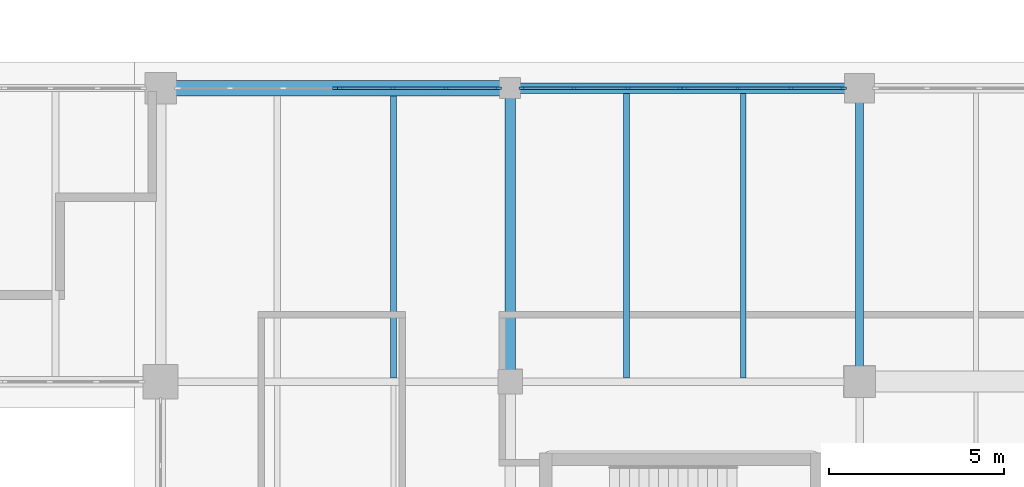
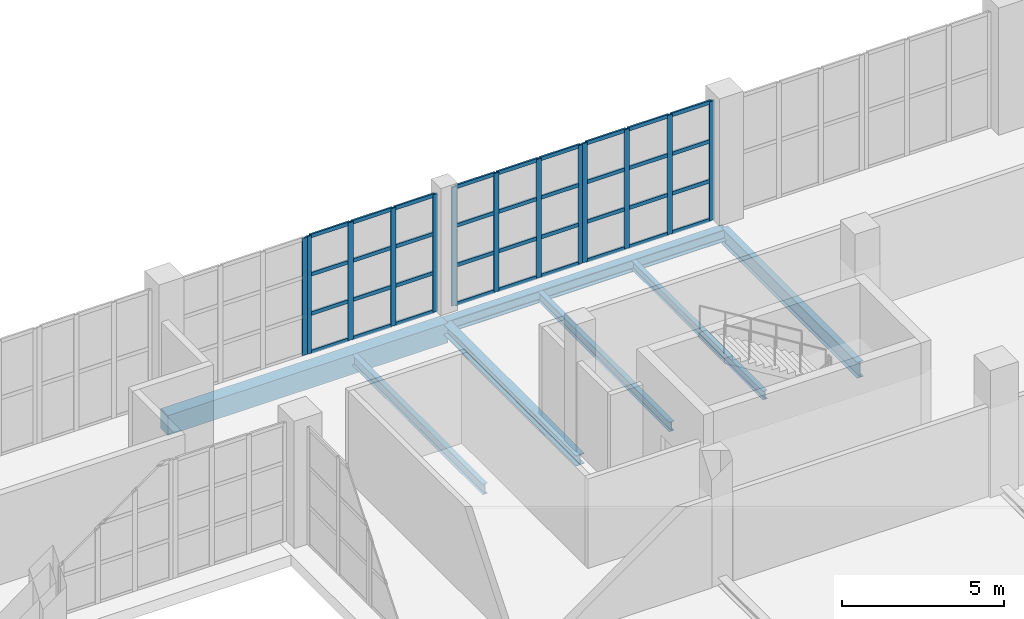
# One storey, part 65 of 121: 49 members, 7 beams, 4 elements without a shape of their own.
"""IFC4 building model written with IfcOpenShell, lengths in metres."""

from ifc_helpers import new_model, si_unit, direction, frame, origin, origin_2d, place, context, subcontext, project, spatial, rectangle, i_section, extrude, material, layer, layer_set, material_profile, profile_set, type_object, element, aggregate, save


model = new_model("IFC4")

# Units and contexts
model_context = context("Model", 3, precision=1e-05, world=origin(), true_north=direction((0.0, 1.0)))
body_context = subcontext(model_context, "Body", "Model", "MODEL_VIEW")
ifc_project = project(units=[si_unit("LENGTHUNIT", "METRE"), si_unit("AREAUNIT", "SQUARE_METRE"), si_unit("VOLUMEUNIT", "CUBIC_METRE"), si_unit("PLANEANGLEUNIT", "RADIAN"), si_unit("MASSUNIT", "GRAM", prefix="KILO")], contexts=[model_context])

# Site, building, storey
site_placement = place(None, origin())
site = spatial("IfcSite", under=ifc_project, at=site_placement, CompositionType="ELEMENT")
building_placement = place(site_placement, origin())
building = spatial("IfcBuilding", under=site, at=building_placement, Name="Zereglee Splitstone Museum", CompositionType="ELEMENT")
storey_placement = place(building_placement, origin())
storey = spatial("IfcBuildingStorey", under=building, at=storey_placement, Name="L00", CompositionType="ELEMENT", Elevation=0.0)

# Curtain wall, members
ifc_material_1 = material(Name="Triple-glazed low-E argon glass and bronze-anodised aluminium", Category="aluminium")
ifc_layer_1 = layer(ifc_material_1, 0.179931640625)
ifc_layer_set_1 = layer_set([ifc_layer_1], Name="Triple-glazed low-E argon glass and bronze-anodised aluminium")
curtain_wall_type_1 = type_object("IfcCurtainWallType", Name="CW-0459-450", PredefinedType="USERDEFINED", material=ifc_layer_set_1)
curtain_wall_1_placement = place(storey_placement, origin())
curtain_wall_1 = element("IfcCurtainWall", 1, at=curtain_wall_1_placement, inside=storey, type_object=curtain_wall_type_1, Name="Glazed Curtain Wall CW-0459-450 (L00)", ObjectType="GLAZED CURTAIN WALL", PredefinedType="USERDEFINED")
ifc_material_2 = material(Name="Thermally broken bronze-anodised aluminium", Category="aluminium")
ifc_material_profile_1 = material_profile(ifc_material_2, rectangle(XDim=0.06494140625, YDim=0.179931640625, at=origin_2d()), Name="CW MULL 65x180")
ifc_profile_set_1 = profile_set([ifc_material_profile_1], Name="Thermally broken bronze-anodised aluminium")
member_type_1 = type_object("IfcMemberType", Name="CWM-01", PredefinedType="MULLION", material=ifc_profile_set_1)
member_1_placement = place(storey_placement, frame((275.534423828125, 38.39990234375, 0.0), z_axis=(0.0, 0.0, 1.0), x_axis=(0.0, -1.0, 0.0)))
member_1 = element("IfcMember", 2, at=member_1_placement, type_object=member_type_1, Name="CW-0459-450 mullion 1", PredefinedType="MULLION", context=body_context, shape_type="SweptSolid", body=[
    extrude(rectangle(XDim=0.06494140625, YDim=0.179931640625, at=origin_2d()), origin(), (0.0, 0.0, 1.0), 4.5),
])
member_2_placement = place(storey_placement, frame((274.037109375, 38.39990234375, 0.0), z_axis=(0.0, 0.0, 1.0), x_axis=(0.0, -1.0, 0.0)))
member_2 = element("IfcMember", 3, at=member_2_placement, type_object=member_type_1, Name="CW-0459-450 mullion 2", PredefinedType="MULLION", context=body_context, shape_type="SweptSolid", body=[
    extrude(rectangle(XDim=0.06494140625, YDim=0.179931640625, at=origin_2d()), origin(), (0.0, 0.0, 1.0), 4.5),
])
member_3_placement = place(storey_placement, frame((272.50732421875, 38.39990234375, 0.0), z_axis=(0.0, 0.0, 1.0), x_axis=(0.0, -1.0, 0.0)))
member_3 = element("IfcMember", 4, at=member_3_placement, type_object=member_type_1, Name="CW-0459-450 mullion 3", PredefinedType="MULLION", context=body_context, shape_type="SweptSolid", body=[
    extrude(rectangle(XDim=0.06494140625, YDim=0.179931640625, at=origin_2d()), origin(), (0.0, 0.0, 1.0), 4.5),
])
member_4_placement = place(storey_placement, frame((271.010009765625, 38.39990234375, 0.0), z_axis=(0.0, 0.0, 1.0), x_axis=(0.0, -1.0, 0.0)))
member_4 = element("IfcMember", 5, at=member_4_placement, type_object=member_type_1, Name="CW-0459-450 mullion 4", PredefinedType="MULLION", context=body_context, shape_type="SweptSolid", body=[
    extrude(rectangle(XDim=0.06494140625, YDim=0.179931640625, at=origin_2d()), origin(), (0.0, 0.0, 1.0), 4.5),
])

ifc_layer_2 = layer(ifc_material_1, 0.179931640625)
ifc_layer_set_2 = layer_set([ifc_layer_2], Name="Triple-glazed low-E argon glass and bronze-anodised aluminium")
curtain_wall_type_2 = type_object("IfcCurtainWallType", Name="CW-0459-448", PredefinedType="USERDEFINED", material=ifc_layer_set_2)
curtain_wall_2_placement = place(storey_placement, origin())
curtain_wall_2 = element("IfcCurtainWall", 6, at=curtain_wall_2_placement, inside=storey, type_object=curtain_wall_type_2, Name="Glazed Curtain Wall CW-0459-448 (L00)", ObjectType="GLAZED CURTAIN WALL", PredefinedType="USERDEFINED")
member_5_placement = place(storey_placement, frame((270.864990234375, 38.39990234375, 0.0), z_axis=(0.0, 0.0, 1.0), x_axis=(0.0, -1.0, 0.0)))
member_5 = element("IfcMember", 7, at=member_5_placement, type_object=member_type_1, Name="CW-0459-448 mullion 1", PredefinedType="MULLION", context=body_context, shape_type="SweptSolid", body=[
    extrude(rectangle(XDim=0.06494140625, YDim=0.179931640625, at=origin_2d()), origin(), (0.0, 0.0, 1.0), 4.47998046875),
])
member_6_placement = place(storey_placement, frame((269.36767578125, 38.39990234375, 0.0), z_axis=(0.0, 0.0, 1.0), x_axis=(0.0, -1.0, 0.0)))
member_6 = element("IfcMember", 8, at=member_6_placement, type_object=member_type_1, Name="CW-0459-448 mullion 2", PredefinedType="MULLION", context=body_context, shape_type="SweptSolid", body=[
    extrude(rectangle(XDim=0.06494140625, YDim=0.179931640625, at=origin_2d()), origin(), (0.0, 0.0, 1.0), 4.47998046875),
])
member_7_placement = place(storey_placement, frame((267.837890625, 38.39990234375, 0.0), z_axis=(0.0, 0.0, 1.0), x_axis=(0.0, -1.0, 0.0)))
member_7 = element("IfcMember", 9, at=member_7_placement, type_object=member_type_1, Name="CW-0459-448 mullion 3", PredefinedType="MULLION", context=body_context, shape_type="SweptSolid", body=[
    extrude(rectangle(XDim=0.06494140625, YDim=0.179931640625, at=origin_2d()), origin(), (0.0, 0.0, 1.0), 4.47998046875),
])
member_8_placement = place(storey_placement, frame((266.340576171875, 38.39990234375, 0.0), z_axis=(0.0, 0.0, 1.0), x_axis=(0.0, -1.0, 0.0)))
member_8 = element("IfcMember", 10, at=member_8_placement, type_object=member_type_1, Name="CW-0459-448 mullion 4", PredefinedType="MULLION", context=body_context, shape_type="SweptSolid", body=[
    extrude(rectangle(XDim=0.06494140625, YDim=0.179931640625, at=origin_2d()), origin(), (0.0, 0.0, 1.0), 4.47998046875),
])

ifc_layer_3 = layer(ifc_material_1, 0.179931640625)
ifc_layer_set_3 = layer_set([ifc_layer_3], Name="Triple-glazed low-E argon glass and bronze-anodised aluminium")
curtain_wall_type_3 = type_object("IfcCurtainWallType", Name="CW-0458-444", PredefinedType="USERDEFINED", material=ifc_layer_set_3)
curtain_wall_3_placement = place(storey_placement, origin())
curtain_wall_3 = element("IfcCurtainWall", 11, at=curtain_wall_3_placement, inside=storey, type_object=curtain_wall_type_3, Name="Glazed Curtain Wall CW-0458-444 (L00)", ObjectType="GLAZED CURTAIN WALL", PredefinedType="USERDEFINED")
member_9_placement = place(storey_placement, frame((265.659423828125, 38.39990234375, 0.0), z_axis=(0.0, 0.0, 1.0), x_axis=(0.0, -1.0, 0.0)))
member_9 = element("IfcMember", 12, at=member_9_placement, type_object=member_type_1, Name="CW-0458-444 mullion 1", PredefinedType="MULLION", context=body_context, shape_type="SweptSolid", body=[
    extrude(rectangle(XDim=0.06494140625, YDim=0.179931640625, at=origin_2d()), origin(), (0.0, 0.0, 1.0), 4.43994140625),
])
member_10_placement = place(storey_placement, frame((264.166259765625, 38.39990234375, 0.0), z_axis=(0.0, 0.0, 1.0), x_axis=(0.0, -1.0, 0.0)))
member_10 = element("IfcMember", 13, at=member_10_placement, type_object=member_type_1, Name="CW-0458-444 mullion 2", PredefinedType="MULLION", context=body_context, shape_type="SweptSolid", body=[
    extrude(rectangle(XDim=0.06494140625, YDim=0.179931640625, at=origin_2d()), origin(), (0.0, 0.0, 1.0), 4.43994140625),
])
member_11_placement = place(storey_placement, frame((262.640625, 38.39990234375, 0.0), z_axis=(0.0, 0.0, 1.0), x_axis=(0.0, -1.0, 0.0)))
member_11 = element("IfcMember", 14, at=member_11_placement, type_object=member_type_1, Name="CW-0458-444 mullion 3", PredefinedType="MULLION", context=body_context, shape_type="SweptSolid", body=[
    extrude(rectangle(XDim=0.06494140625, YDim=0.179931640625, at=origin_2d()), origin(), (0.0, 0.0, 1.0), 4.43994140625),
])
member_12_placement = place(storey_placement, frame((261.1474609375, 38.39990234375, 0.0), z_axis=(0.0, 0.0, 1.0), x_axis=(0.0, -1.0, 0.0)))
member_12 = element("IfcMember", 15, at=member_12_placement, type_object=member_type_1, Name="CW-0458-444 mullion 4", PredefinedType="MULLION", context=body_context, shape_type="SweptSolid", body=[
    extrude(rectangle(XDim=0.06494140625, YDim=0.179931640625, at=origin_2d()), origin(), (0.0, 0.0, 1.0), 4.43994140625),
])

# Curtain wall, member
ifc_layer_4 = layer(ifc_material_1, 0.179931640625)
ifc_layer_set_4 = layer_set([ifc_layer_4], Name="Triple-glazed low-E argon glass and bronze-anodised aluminium")
curtain_wall_type_4 = type_object("IfcCurtainWallType", Name="CW-0458-442", PredefinedType="USERDEFINED", material=ifc_layer_set_4)
curtain_wall_4_placement = place(storey_placement, origin())
curtain_wall_4 = element("IfcCurtainWall", 16, at=curtain_wall_4_placement, inside=storey, type_object=curtain_wall_type_4, Name="Glazed Curtain Wall CW-0458-442 (L00)", ObjectType="GLAZED CURTAIN WALL", PredefinedType="USERDEFINED")
member_13_placement = place(storey_placement, frame((261.00244140625, 38.39990234375, 0.0), z_axis=(0.0, 0.0, 1.0), x_axis=(0.0, -1.0, 0.0)))
member_13 = element("IfcMember", 17, at=member_13_placement, type_object=member_type_1, Name="CW-0458-442 mullion 1", PredefinedType="MULLION", context=body_context, shape_type="SweptSolid", body=[
    extrude(rectangle(XDim=0.06494140625, YDim=0.179931640625, at=origin_2d()), origin(), (0.0, 0.0, 1.0), 4.419921875),
])
aggregate(curtain_wall_4, [member_13])

# Member
ifc_material_profile_2 = material_profile(ifc_material_2, rectangle(XDim=0.06494140625, YDim=0.139892578125, at=origin_2d()), Name="CW TRAN 65x140")
ifc_profile_set_2 = profile_set([ifc_material_profile_2], Name="Thermally broken bronze-anodised aluminium")
member_type_2 = type_object("IfcMemberType", Name="CWT-01", PredefinedType="USERDEFINED", material=ifc_profile_set_2)
member_14_placement = place(storey_placement, frame((275.501953125, 38.39990234375, 0.032470703125), z_axis=(-1.0, 0.0, 0.0), x_axis=(0.0, -1.0, 0.0)))
member_14 = element("IfcMember", 18, at=member_14_placement, type_object=member_type_2, Name="CW-0459-450 transom 1.1", ObjectType="TRANSOM", PredefinedType="USERDEFINED", context=body_context, shape_type="SweptSolid", body=[
    extrude(rectangle(XDim=0.06494140625, YDim=0.139892578125, at=origin_2d()), origin(), (0.0, 0.0, 1.0), 1.432373046875),
])

member_15_placement = place(storey_placement, frame((275.501953125, 38.39990234375, 1.5), z_axis=(-1.0, 0.0, 0.0), x_axis=(0.0, -1.0, 0.0)))
member_15 = element("IfcMember", 19, at=member_15_placement, type_object=member_type_2, Name="CW-0459-450 transom 1.2", ObjectType="TRANSOM", PredefinedType="USERDEFINED", context=body_context, shape_type="SweptSolid", body=[
    extrude(rectangle(XDim=0.06494140625, YDim=0.139892578125, at=origin_2d()), origin(), (0.0, 0.0, 1.0), 1.432373046875),
])

member_16_placement = place(storey_placement, frame((275.501953125, 38.39990234375, 3.0), z_axis=(-1.0, 0.0, 0.0), x_axis=(0.0, -1.0, 0.0)))
member_16 = element("IfcMember", 20, at=member_16_placement, type_object=member_type_2, Name="CW-0459-450 transom 1.3", ObjectType="TRANSOM", PredefinedType="USERDEFINED", context=body_context, shape_type="SweptSolid", body=[
    extrude(rectangle(XDim=0.06494140625, YDim=0.139892578125, at=origin_2d()), origin(), (0.0, 0.0, 1.0), 1.432373046875),
])

member_17_placement = place(storey_placement, frame((275.501953125, 38.39990234375, 4.467529296875), z_axis=(-1.0, 0.0, 0.0), x_axis=(0.0, -1.0, 0.0)))
member_17 = element("IfcMember", 21, at=member_17_placement, type_object=member_type_2, Name="CW-0459-450 transom 1.4", ObjectType="TRANSOM", PredefinedType="USERDEFINED", context=body_context, shape_type="SweptSolid", body=[
    extrude(rectangle(XDim=0.06494140625, YDim=0.139892578125, at=origin_2d()), origin(), (0.0, 0.0, 1.0), 1.432373046875),
])

member_18_placement = place(storey_placement, frame((274.004638671875, 38.39990234375, 0.032470703125), z_axis=(-1.0, 0.0, 0.0), x_axis=(0.0, -1.0, 0.0)))
member_18 = element("IfcMember", 22, at=member_18_placement, type_object=member_type_2, Name="CW-0459-450 transom 2.1", ObjectType="TRANSOM", PredefinedType="USERDEFINED", context=body_context, shape_type="SweptSolid", body=[
    extrude(rectangle(XDim=0.06494140625, YDim=0.139892578125, at=origin_2d()), origin(), (0.0, 0.0, 1.0), 1.46484375),
])

member_19_placement = place(storey_placement, frame((274.004638671875, 38.39990234375, 1.5), z_axis=(-1.0, 0.0, 0.0), x_axis=(0.0, -1.0, 0.0)))
member_19 = element("IfcMember", 23, at=member_19_placement, type_object=member_type_2, Name="CW-0459-450 transom 2.2", ObjectType="TRANSOM", PredefinedType="USERDEFINED", context=body_context, shape_type="SweptSolid", body=[
    extrude(rectangle(XDim=0.06494140625, YDim=0.139892578125, at=origin_2d()), origin(), (0.0, 0.0, 1.0), 1.46484375),
])

member_20_placement = place(storey_placement, frame((274.004638671875, 38.39990234375, 3.0), z_axis=(-1.0, 0.0, 0.0), x_axis=(0.0, -1.0, 0.0)))
member_20 = element("IfcMember", 24, at=member_20_placement, type_object=member_type_2, Name="CW-0459-450 transom 2.3", ObjectType="TRANSOM", PredefinedType="USERDEFINED", context=body_context, shape_type="SweptSolid", body=[
    extrude(rectangle(XDim=0.06494140625, YDim=0.139892578125, at=origin_2d()), origin(), (0.0, 0.0, 1.0), 1.46484375),
])

member_21_placement = place(storey_placement, frame((274.004638671875, 38.39990234375, 4.467529296875), z_axis=(-1.0, 0.0, 0.0), x_axis=(0.0, -1.0, 0.0)))
member_21 = element("IfcMember", 25, at=member_21_placement, type_object=member_type_2, Name="CW-0459-450 transom 2.4", ObjectType="TRANSOM", PredefinedType="USERDEFINED", context=body_context, shape_type="SweptSolid", body=[
    extrude(rectangle(XDim=0.06494140625, YDim=0.139892578125, at=origin_2d()), origin(), (0.0, 0.0, 1.0), 1.46484375),
])

member_22_placement = place(storey_placement, frame((272.474853515625, 38.39990234375, 0.032470703125), z_axis=(-1.0, 0.0, 0.0), x_axis=(0.0, -1.0, 0.0)))
member_22 = element("IfcMember", 26, at=member_22_placement, type_object=member_type_2, Name="CW-0459-450 transom 3.1", ObjectType="TRANSOM", PredefinedType="USERDEFINED", context=body_context, shape_type="SweptSolid", body=[
    extrude(rectangle(XDim=0.06494140625, YDim=0.139892578125, at=origin_2d()), origin(), (0.0, 0.0, 1.0), 1.432373046875),
])

member_23_placement = place(storey_placement, frame((272.474853515625, 38.39990234375, 1.5), z_axis=(-1.0, 0.0, 0.0), x_axis=(0.0, -1.0, 0.0)))
member_23 = element("IfcMember", 27, at=member_23_placement, type_object=member_type_2, Name="CW-0459-450 transom 3.2", ObjectType="TRANSOM", PredefinedType="USERDEFINED", context=body_context, shape_type="SweptSolid", body=[
    extrude(rectangle(XDim=0.06494140625, YDim=0.139892578125, at=origin_2d()), origin(), (0.0, 0.0, 1.0), 1.432373046875),
])

member_24_placement = place(storey_placement, frame((272.474853515625, 38.39990234375, 3.0), z_axis=(-1.0, 0.0, 0.0), x_axis=(0.0, -1.0, 0.0)))
member_24 = element("IfcMember", 28, at=member_24_placement, type_object=member_type_2, Name="CW-0459-450 transom 3.3", ObjectType="TRANSOM", PredefinedType="USERDEFINED", context=body_context, shape_type="SweptSolid", body=[
    extrude(rectangle(XDim=0.06494140625, YDim=0.139892578125, at=origin_2d()), origin(), (0.0, 0.0, 1.0), 1.432373046875),
])

member_25_placement = place(storey_placement, frame((272.474853515625, 38.39990234375, 4.467529296875), z_axis=(-1.0, 0.0, 0.0), x_axis=(0.0, -1.0, 0.0)))
member_25 = element("IfcMember", 29, at=member_25_placement, type_object=member_type_2, Name="CW-0459-450 transom 3.4", ObjectType="TRANSOM", PredefinedType="USERDEFINED", context=body_context, shape_type="SweptSolid", body=[
    extrude(rectangle(XDim=0.06494140625, YDim=0.139892578125, at=origin_2d()), origin(), (0.0, 0.0, 1.0), 1.432373046875),
])

aggregate(curtain_wall_1, [member_1, member_2, member_3, member_4, member_14, member_15, member_16, member_17, member_18, member_19, member_20, member_21, member_22, member_23, member_24, member_25])

member_26_placement = place(storey_placement, frame((270.83251953125, 38.39990234375, 0.032470703125), z_axis=(-1.0, 0.0, 0.0), x_axis=(0.0, -1.0, 0.0)))
member_26 = element("IfcMember", 30, at=member_26_placement, type_object=member_type_2, Name="CW-0459-448 transom 1.1", ObjectType="TRANSOM", PredefinedType="USERDEFINED", context=body_context, shape_type="SweptSolid", body=[
    extrude(rectangle(XDim=0.06494140625, YDim=0.139892578125, at=origin_2d()), origin(), (0.0, 0.0, 1.0), 1.432373046875),
])

member_27_placement = place(storey_placement, frame((270.83251953125, 38.39990234375, 1.493408203125), z_axis=(-1.0, 0.0, 0.0), x_axis=(0.0, -1.0, 0.0)))
member_27 = element("IfcMember", 31, at=member_27_placement, type_object=member_type_2, Name="CW-0459-448 transom 1.2", ObjectType="TRANSOM", PredefinedType="USERDEFINED", context=body_context, shape_type="SweptSolid", body=[
    extrude(rectangle(XDim=0.06494140625, YDim=0.139892578125, at=origin_2d()), origin(), (0.0, 0.0, 1.0), 1.432373046875),
])

member_28_placement = place(storey_placement, frame((270.83251953125, 38.39990234375, 2.98681640625), z_axis=(-1.0, 0.0, 0.0), x_axis=(0.0, -1.0, 0.0)))
member_28 = element("IfcMember", 32, at=member_28_placement, type_object=member_type_2, Name="CW-0459-448 transom 1.3", ObjectType="TRANSOM", PredefinedType="USERDEFINED", context=body_context, shape_type="SweptSolid", body=[
    extrude(rectangle(XDim=0.06494140625, YDim=0.139892578125, at=origin_2d()), origin(), (0.0, 0.0, 1.0), 1.432373046875),
])

member_29_placement = place(storey_placement, frame((270.83251953125, 38.39990234375, 4.447509765625), z_axis=(-1.0, 0.0, 0.0), x_axis=(0.0, -1.0, 0.0)))
member_29 = element("IfcMember", 33, at=member_29_placement, type_object=member_type_2, Name="CW-0459-448 transom 1.4", ObjectType="TRANSOM", PredefinedType="USERDEFINED", context=body_context, shape_type="SweptSolid", body=[
    extrude(rectangle(XDim=0.06494140625, YDim=0.139892578125, at=origin_2d()), origin(), (0.0, 0.0, 1.0), 1.432373046875),
])

member_30_placement = place(storey_placement, frame((269.335205078125, 38.39990234375, 0.032470703125), z_axis=(-1.0, 0.0, 0.0), x_axis=(0.0, -1.0, 0.0)))
member_30 = element("IfcMember", 34, at=member_30_placement, type_object=member_type_2, Name="CW-0459-448 transom 2.1", ObjectType="TRANSOM", PredefinedType="USERDEFINED", context=body_context, shape_type="SweptSolid", body=[
    extrude(rectangle(XDim=0.06494140625, YDim=0.139892578125, at=origin_2d()), origin(), (0.0, 0.0, 1.0), 1.46484375),
])

member_31_placement = place(storey_placement, frame((269.335205078125, 38.39990234375, 1.493408203125), z_axis=(-1.0, 0.0, 0.0), x_axis=(0.0, -1.0, 0.0)))
member_31 = element("IfcMember", 35, at=member_31_placement, type_object=member_type_2, Name="CW-0459-448 transom 2.2", ObjectType="TRANSOM", PredefinedType="USERDEFINED", context=body_context, shape_type="SweptSolid", body=[
    extrude(rectangle(XDim=0.06494140625, YDim=0.139892578125, at=origin_2d()), origin(), (0.0, 0.0, 1.0), 1.46484375),
])

member_32_placement = place(storey_placement, frame((269.335205078125, 38.39990234375, 2.98681640625), z_axis=(-1.0, 0.0, 0.0), x_axis=(0.0, -1.0, 0.0)))
member_32 = element("IfcMember", 36, at=member_32_placement, type_object=member_type_2, Name="CW-0459-448 transom 2.3", ObjectType="TRANSOM", PredefinedType="USERDEFINED", context=body_context, shape_type="SweptSolid", body=[
    extrude(rectangle(XDim=0.06494140625, YDim=0.139892578125, at=origin_2d()), origin(), (0.0, 0.0, 1.0), 1.46484375),
])

member_33_placement = place(storey_placement, frame((269.335205078125, 38.39990234375, 4.447509765625), z_axis=(-1.0, 0.0, 0.0), x_axis=(0.0, -1.0, 0.0)))
member_33 = element("IfcMember", 37, at=member_33_placement, type_object=member_type_2, Name="CW-0459-448 transom 2.4", ObjectType="TRANSOM", PredefinedType="USERDEFINED", context=body_context, shape_type="SweptSolid", body=[
    extrude(rectangle(XDim=0.06494140625, YDim=0.139892578125, at=origin_2d()), origin(), (0.0, 0.0, 1.0), 1.46484375),
])

member_34_placement = place(storey_placement, frame((267.805419921875, 38.39990234375, 0.032470703125), z_axis=(-1.0, 0.0, 0.0), x_axis=(0.0, -1.0, 0.0)))
member_34 = element("IfcMember", 38, at=member_34_placement, type_object=member_type_2, Name="CW-0459-448 transom 3.1", ObjectType="TRANSOM", PredefinedType="USERDEFINED", context=body_context, shape_type="SweptSolid", body=[
    extrude(rectangle(XDim=0.06494140625, YDim=0.139892578125, at=origin_2d()), origin(), (0.0, 0.0, 1.0), 1.432373046875),
])

member_35_placement = place(storey_placement, frame((267.805419921875, 38.39990234375, 1.493408203125), z_axis=(-1.0, 0.0, 0.0), x_axis=(0.0, -1.0, 0.0)))
member_35 = element("IfcMember", 39, at=member_35_placement, type_object=member_type_2, Name="CW-0459-448 transom 3.2", ObjectType="TRANSOM", PredefinedType="USERDEFINED", context=body_context, shape_type="SweptSolid", body=[
    extrude(rectangle(XDim=0.06494140625, YDim=0.139892578125, at=origin_2d()), origin(), (0.0, 0.0, 1.0), 1.432373046875),
])

member_36_placement = place(storey_placement, frame((267.805419921875, 38.39990234375, 2.98681640625), z_axis=(-1.0, 0.0, 0.0), x_axis=(0.0, -1.0, 0.0)))
member_36 = element("IfcMember", 40, at=member_36_placement, type_object=member_type_2, Name="CW-0459-448 transom 3.3", ObjectType="TRANSOM", PredefinedType="USERDEFINED", context=body_context, shape_type="SweptSolid", body=[
    extrude(rectangle(XDim=0.06494140625, YDim=0.139892578125, at=origin_2d()), origin(), (0.0, 0.0, 1.0), 1.432373046875),
])

member_37_placement = place(storey_placement, frame((267.805419921875, 38.39990234375, 4.447509765625), z_axis=(-1.0, 0.0, 0.0), x_axis=(0.0, -1.0, 0.0)))
member_37 = element("IfcMember", 41, at=member_37_placement, type_object=member_type_2, Name="CW-0459-448 transom 3.4", ObjectType="TRANSOM", PredefinedType="USERDEFINED", context=body_context, shape_type="SweptSolid", body=[
    extrude(rectangle(XDim=0.06494140625, YDim=0.139892578125, at=origin_2d()), origin(), (0.0, 0.0, 1.0), 1.432373046875),
])

aggregate(curtain_wall_2, [member_5, member_6, member_7, member_8, member_26, member_27, member_28, member_29, member_30, member_31, member_32, member_33, member_34, member_35, member_36, member_37])

member_38_placement = place(storey_placement, frame((265.626953125, 38.39990234375, 0.032470703125), z_axis=(-1.0, 0.0, 0.0), x_axis=(0.0, -1.0, 0.0)))
member_38 = element("IfcMember", 42, at=member_38_placement, type_object=member_type_2, Name="CW-0458-444 transom 1.1", ObjectType="TRANSOM", PredefinedType="USERDEFINED", context=body_context, shape_type="SweptSolid", body=[
    extrude(rectangle(XDim=0.06494140625, YDim=0.139892578125, at=origin_2d()), origin(), (0.0, 0.0, 1.0), 1.42822265625),
])

member_39_placement = place(storey_placement, frame((265.626953125, 38.39990234375, 1.47998046875), z_axis=(-1.0, 0.0, 0.0), x_axis=(0.0, -1.0, 0.0)))
member_39 = element("IfcMember", 43, at=member_39_placement, type_object=member_type_2, Name="CW-0458-444 transom 1.2", ObjectType="TRANSOM", PredefinedType="USERDEFINED", context=body_context, shape_type="SweptSolid", body=[
    extrude(rectangle(XDim=0.06494140625, YDim=0.139892578125, at=origin_2d()), origin(), (0.0, 0.0, 1.0), 1.42822265625),
])

member_40_placement = place(storey_placement, frame((265.626953125, 38.39990234375, 2.9599609375), z_axis=(-1.0, 0.0, 0.0), x_axis=(0.0, -1.0, 0.0)))
member_40 = element("IfcMember", 44, at=member_40_placement, type_object=member_type_2, Name="CW-0458-444 transom 1.3", ObjectType="TRANSOM", PredefinedType="USERDEFINED", context=body_context, shape_type="SweptSolid", body=[
    extrude(rectangle(XDim=0.06494140625, YDim=0.139892578125, at=origin_2d()), origin(), (0.0, 0.0, 1.0), 1.42822265625),
])

member_41_placement = place(storey_placement, frame((265.626953125, 38.39990234375, 4.407470703125), z_axis=(-1.0, 0.0, 0.0), x_axis=(0.0, -1.0, 0.0)))
member_41 = element("IfcMember", 45, at=member_41_placement, type_object=member_type_2, Name="CW-0458-444 transom 1.4", ObjectType="TRANSOM", PredefinedType="USERDEFINED", context=body_context, shape_type="SweptSolid", body=[
    extrude(rectangle(XDim=0.06494140625, YDim=0.139892578125, at=origin_2d()), origin(), (0.0, 0.0, 1.0), 1.42822265625),
])

member_42_placement = place(storey_placement, frame((264.1337890625, 38.39990234375, 0.032470703125), z_axis=(-1.0, 0.0, 0.0), x_axis=(0.0, -1.0, 0.0)))
member_42 = element("IfcMember", 46, at=member_42_placement, type_object=member_type_2, Name="CW-0458-444 transom 2.1", ObjectType="TRANSOM", PredefinedType="USERDEFINED", context=body_context, shape_type="SweptSolid", body=[
    extrude(rectangle(XDim=0.06494140625, YDim=0.139892578125, at=origin_2d()), origin(), (0.0, 0.0, 1.0), 1.460693359375),
])

member_43_placement = place(storey_placement, frame((264.1337890625, 38.39990234375, 1.47998046875), z_axis=(-1.0, 0.0, 0.0), x_axis=(0.0, -1.0, 0.0)))
member_43 = element("IfcMember", 47, at=member_43_placement, type_object=member_type_2, Name="CW-0458-444 transom 2.2", ObjectType="TRANSOM", PredefinedType="USERDEFINED", context=body_context, shape_type="SweptSolid", body=[
    extrude(rectangle(XDim=0.06494140625, YDim=0.139892578125, at=origin_2d()), origin(), (0.0, 0.0, 1.0), 1.460693359375),
])

member_44_placement = place(storey_placement, frame((264.1337890625, 38.39990234375, 2.9599609375), z_axis=(-1.0, 0.0, 0.0), x_axis=(0.0, -1.0, 0.0)))
member_44 = element("IfcMember", 48, at=member_44_placement, type_object=member_type_2, Name="CW-0458-444 transom 2.3", ObjectType="TRANSOM", PredefinedType="USERDEFINED", context=body_context, shape_type="SweptSolid", body=[
    extrude(rectangle(XDim=0.06494140625, YDim=0.139892578125, at=origin_2d()), origin(), (0.0, 0.0, 1.0), 1.460693359375),
])

member_45_placement = place(storey_placement, frame((264.1337890625, 38.39990234375, 4.407470703125), z_axis=(-1.0, 0.0, 0.0), x_axis=(0.0, -1.0, 0.0)))
member_45 = element("IfcMember", 49, at=member_45_placement, type_object=member_type_2, Name="CW-0458-444 transom 2.4", ObjectType="TRANSOM", PredefinedType="USERDEFINED", context=body_context, shape_type="SweptSolid", body=[
    extrude(rectangle(XDim=0.06494140625, YDim=0.139892578125, at=origin_2d()), origin(), (0.0, 0.0, 1.0), 1.460693359375),
])

member_46_placement = place(storey_placement, frame((262.608154296875, 38.39990234375, 0.032470703125), z_axis=(-1.0, 0.0, 0.0), x_axis=(0.0, -1.0, 0.0)))
member_46 = element("IfcMember", 50, at=member_46_placement, type_object=member_type_2, Name="CW-0458-444 transom 3.1", ObjectType="TRANSOM", PredefinedType="USERDEFINED", context=body_context, shape_type="SweptSolid", body=[
    extrude(rectangle(XDim=0.06494140625, YDim=0.139892578125, at=origin_2d()), origin(), (0.0, 0.0, 1.0), 1.42822265625),
])

member_47_placement = place(storey_placement, frame((262.608154296875, 38.39990234375, 1.47998046875), z_axis=(-1.0, 0.0, 0.0), x_axis=(0.0, -1.0, 0.0)))
member_47 = element("IfcMember", 51, at=member_47_placement, type_object=member_type_2, Name="CW-0458-444 transom 3.2", ObjectType="TRANSOM", PredefinedType="USERDEFINED", context=body_context, shape_type="SweptSolid", body=[
    extrude(rectangle(XDim=0.06494140625, YDim=0.139892578125, at=origin_2d()), origin(), (0.0, 0.0, 1.0), 1.42822265625),
])

member_48_placement = place(storey_placement, frame((262.608154296875, 38.39990234375, 2.9599609375), z_axis=(-1.0, 0.0, 0.0), x_axis=(0.0, -1.0, 0.0)))
member_48 = element("IfcMember", 52, at=member_48_placement, type_object=member_type_2, Name="CW-0458-444 transom 3.3", ObjectType="TRANSOM", PredefinedType="USERDEFINED", context=body_context, shape_type="SweptSolid", body=[
    extrude(rectangle(XDim=0.06494140625, YDim=0.139892578125, at=origin_2d()), origin(), (0.0, 0.0, 1.0), 1.42822265625),
])

member_49_placement = place(storey_placement, frame((262.608154296875, 38.39990234375, 4.407470703125), z_axis=(-1.0, 0.0, 0.0), x_axis=(0.0, -1.0, 0.0)))
member_49 = element("IfcMember", 53, at=member_49_placement, type_object=member_type_2, Name="CW-0458-444 transom 3.4", ObjectType="TRANSOM", PredefinedType="USERDEFINED", context=body_context, shape_type="SweptSolid", body=[
    extrude(rectangle(XDim=0.06494140625, YDim=0.139892578125, at=origin_2d()), origin(), (0.0, 0.0, 1.0), 1.42822265625),
])

aggregate(curtain_wall_3, [member_9, member_10, member_11, member_12, member_38, member_39, member_40, member_41, member_42, member_43, member_44, member_45, member_46, member_47, member_48, member_49])

# Beams
ifc_material_3 = material(Name="Steel S355J2", Category="steel")
ifc_material_profile_3 = material_profile(ifc_material_3, i_section(OverallWidth=0.300048828125, OverallDepth=0.39990234375, WebThickness=0.013427734375, FlangeThickness=0.02392578125, FilletRadius=0.027099609375, at=origin_2d()), Name="HE 400 B")
ifc_profile_set_3 = profile_set([ifc_material_profile_3], Name="Steel S355J2")
beam_type_1 = type_object("IfcBeamType", Name="BG-13", PredefinedType="BEAM", material=ifc_profile_set_3)
beam_1_placement = place(storey_placement, frame((266.0, 30.0, -0.6201171875), z_axis=(0.0, 1.0, 0.0), x_axis=(-1.0, 0.0, 0.0)))
element("IfcBeam", 54, at=beam_1_placement, inside=storey, type_object=beam_type_1, Name="Primary Girder L00 30 (30.0-38.4)", PredefinedType="BEAM", context=body_context, shape_type="SweptSolid", body=[
    extrude(i_section(OverallWidth=0.300048828125, OverallDepth=0.39990234375, WebThickness=0.013427734375, FlangeThickness=0.02392578125, FilletRadius=0.027099609375, at=origin_2d()), origin(), (0.0, 0.0, 1.0), 8.39990234375),
])
ifc_material_profile_4 = material_profile(ifc_material_3, i_section(OverallWidth=0.219970703125, OverallDepth=0.60009765625, WebThickness=0.011962890625, FlangeThickness=0.01904296875, FilletRadius=0.02392578125, at=origin_2d()), Name="IPE 600")
ifc_profile_set_4 = profile_set([ifc_material_profile_4], Name="Steel S355J2")
beam_type_2 = type_object("IfcBeamType", Name="BG-15", PredefinedType="BEAM", material=ifc_profile_set_4)
beam_2_placement = place(storey_placement, frame((276.0, 30.0, -0.719970703125), z_axis=(0.0, 1.0, 0.0), x_axis=(-1.0, 0.0, 0.0)))
element("IfcBeam", 55, at=beam_2_placement, inside=storey, type_object=beam_type_2, Name="Primary Girder L00 31 (30.0-38.4)", PredefinedType="BEAM", context=body_context, shape_type="SweptSolid", body=[
    extrude(i_section(OverallWidth=0.219970703125, OverallDepth=0.60009765625, WebThickness=0.011962890625, FlangeThickness=0.01904296875, FilletRadius=0.02392578125, at=origin_2d()), origin(), (0.0, 0.0, 1.0), 8.39990234375),
])
ifc_material_profile_5 = material_profile(ifc_material_3, i_section(OverallWidth=0.159912109375, OverallDepth=0.330078125, WebThickness=0.007568359375, FlangeThickness=0.011474609375, FilletRadius=0.01806640625, at=origin_2d()), Name="IPE 330")
ifc_profile_set_5 = profile_set([ifc_material_profile_5], Name="Steel S355J2")
beam_type_3 = type_object("IfcBeamType", Name="BJ-05", PredefinedType="JOIST", material=ifc_profile_set_5)
beam_3_placement = place(storey_placement, frame((272.666748046875, 30.110107421875, -0.5849609375), z_axis=(0.0, 1.0, 0.0), x_axis=(-1.0, 0.0, 0.0)))
element("IfcBeam", 56, at=beam_3_placement, inside=storey, type_object=beam_type_3, Name="Secondary Floor Joist L00-0382", PredefinedType="JOIST", context=body_context, shape_type="SweptSolid", body=[
    extrude(i_section(OverallWidth=0.159912109375, OverallDepth=0.330078125, WebThickness=0.007568359375, FlangeThickness=0.011474609375, FilletRadius=0.01806640625, at=origin_2d()), origin(), (0.0, 0.0, 1.0), 8.139892578125),
])
ifc_material_profile_6 = material_profile(ifc_material_3, i_section(OverallWidth=0.169921875, OverallDepth=0.360107421875, WebThickness=0.008056640625, FlangeThickness=0.0126953125, FilletRadius=0.01806640625, at=origin_2d()), Name="IPE 360")
ifc_profile_set_6 = profile_set([ifc_material_profile_6], Name="Steel S355J2")
beam_type_4 = type_object("IfcBeamType", Name="BJ-04", PredefinedType="JOIST", material=ifc_profile_set_6)
beam_4_placement = place(storey_placement, frame((269.333251953125, 30.110107421875, -0.60009765625), z_axis=(0.0, 1.0, 0.0), x_axis=(-1.0, 0.0, 0.0)))
element("IfcBeam", 57, at=beam_4_placement, inside=storey, type_object=beam_type_4, Name="Secondary Floor Joist L00-0381", PredefinedType="JOIST", context=body_context, shape_type="SweptSolid", body=[
    extrude(i_section(OverallWidth=0.169921875, OverallDepth=0.360107421875, WebThickness=0.008056640625, FlangeThickness=0.0126953125, FilletRadius=0.01806640625, at=origin_2d()), origin(), (0.0, 0.0, 1.0), 8.139892578125),
])
ifc_material_profile_7 = material_profile(ifc_material_3, i_section(OverallWidth=0.179931640625, OverallDepth=0.39990234375, WebThickness=0.008544921875, FlangeThickness=0.013427734375, FilletRadius=0.02099609375, at=origin_2d()), Name="IPE 400")
ifc_profile_set_7 = profile_set([ifc_material_profile_7], Name="Steel S355J2")
beam_type_5 = type_object("IfcBeamType", Name="BJ-03", PredefinedType="JOIST", material=ifc_profile_set_7)
beam_5_placement = place(storey_placement, frame((262.666748046875, 30.10498046875, -0.6201171875), z_axis=(0.0, 1.0, 0.0), x_axis=(-1.0, 0.0, 0.0)))
element("IfcBeam", 58, at=beam_5_placement, inside=storey, type_object=beam_type_5, Name="Secondary Floor Joist L00-0380", PredefinedType="JOIST", context=body_context, shape_type="SweptSolid", body=[
    extrude(i_section(OverallWidth=0.179931640625, OverallDepth=0.39990234375, WebThickness=0.008544921875, FlangeThickness=0.013427734375, FilletRadius=0.02099609375, at=origin_2d()), origin(), (0.0, 0.0, 1.0), 8.070068359375),
])
ifc_material_profile_8 = material_profile(ifc_material_3, i_section(OverallWidth=0.300048828125, OverallDepth=0.449951171875, WebThickness=0.013916015625, FlangeThickness=0.02587890625, FilletRadius=0.027099609375, at=origin_2d()), Name="HE 450 B")
ifc_profile_set_8 = profile_set([ifc_material_profile_8], Name="Steel S355J2")
beam_type_6 = type_object("IfcBeamType", Name="SP-02", PredefinedType="SPANDREL", material=ifc_profile_set_8)
beam_6_placement = place(storey_placement, frame((266.0, 38.39990234375, -0.64501953125), z_axis=(1.0, 0.0, 0.0), x_axis=(0.0, 1.0, 0.0)))
element("IfcBeam", 59, at=beam_6_placement, inside=storey, type_object=beam_type_6, Name="Primary Girder L00 E (266.0-276.0)", PredefinedType="SPANDREL", context=body_context, shape_type="SweptSolid", body=[
    extrude(i_section(OverallWidth=0.300048828125, OverallDepth=0.449951171875, WebThickness=0.013916015625, FlangeThickness=0.02587890625, FilletRadius=0.027099609375, at=origin_2d()), origin(), (0.0, 0.0, 1.0), 10.0),
])
ifc_material_4 = material(Name="Concrete C40/50", Category="concrete")
ifc_material_profile_9 = material_profile(ifc_material_4, rectangle(XDim=0.449951171875, YDim=0.75, at=origin_2d()), Name="RC 450x750")
ifc_profile_set_9 = profile_set([ifc_material_profile_9], Name="Concrete C40/50")
beam_type_7 = type_object("IfcBeamType", Name="SP-01", PredefinedType="SPANDREL", material=ifc_profile_set_9)
beam_7_placement = place(storey_placement, frame((256.0, 38.39990234375, -0.794921875), z_axis=(1.0, 0.0, 0.0), x_axis=(0.0, 1.0, 0.0)))
element("IfcBeam", 60, at=beam_7_placement, inside=storey, type_object=beam_type_7, Name="Primary Girder L00 E (256.0-266.0)", PredefinedType="SPANDREL", context=body_context, shape_type="SweptSolid", body=[
    extrude(rectangle(XDim=0.449951171875, YDim=0.75, at=origin_2d()), origin(), (0.0, 0.0, 1.0), 10.0),
])

save(model, "model.ifc")
